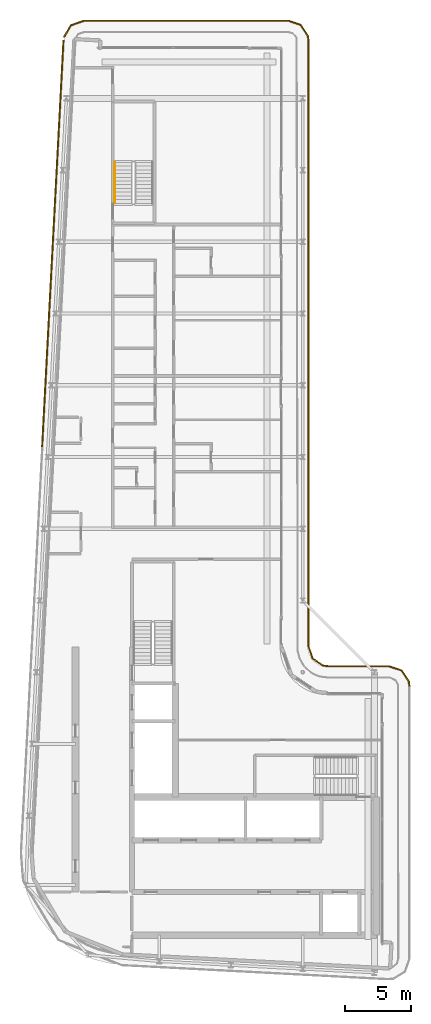
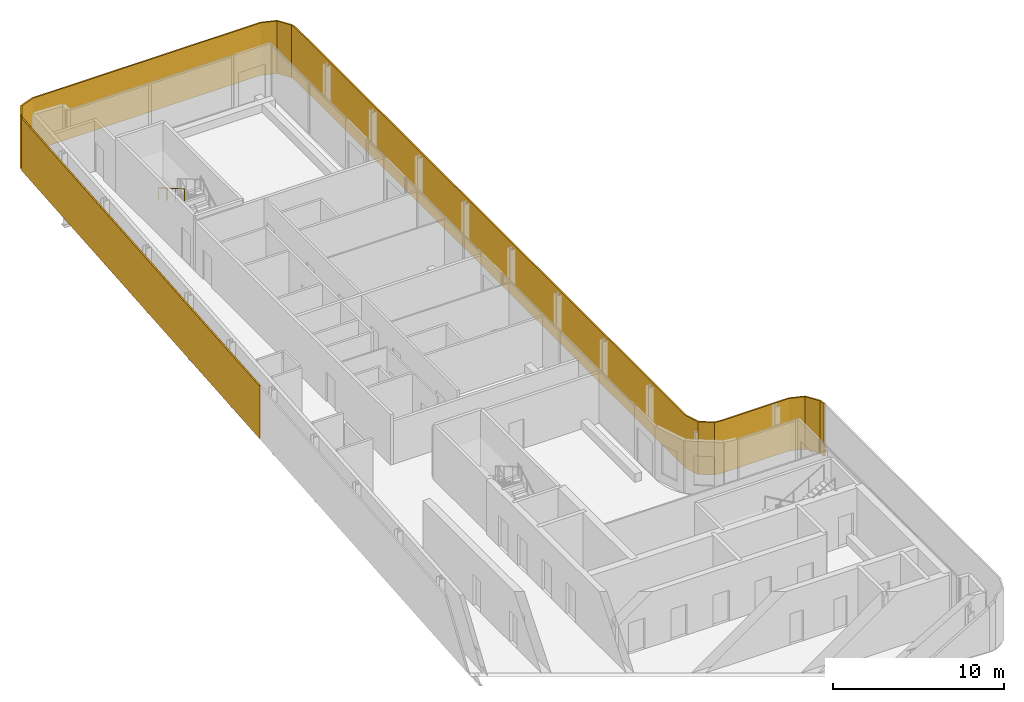
# One storey, part 17 of 19: 2 shading devices, 1 railing.
"""IFC4 building model written with IfcOpenShell, lengths in metres."""

from ifc_helpers import new_model, si_unit, direction, frame, origin, origin_2d, place, context, subcontext, project, spatial, polyline, rectangle, circle, outline, extrude, material, layer, layer_set, type_object, element, save


model = new_model("IFC4")

# Units and contexts
model_context = context("Model", 3, precision=1e-05, world=origin(), true_north=direction((0.0, 1.0)))
body_context = subcontext(model_context, "Body", "Model", "MODEL_VIEW")
ifc_project = project(units=[si_unit("LENGTHUNIT", "METRE"), si_unit("AREAUNIT", "SQUARE_METRE"), si_unit("VOLUMEUNIT", "CUBIC_METRE"), si_unit("PLANEANGLEUNIT", "RADIAN"), si_unit("MASSUNIT", "GRAM", prefix="KILO")], contexts=[model_context])

# Site, building, storey
site_placement = place(None, origin())
site = spatial("IfcSite", under=ifc_project, at=site_placement, CompositionType="ELEMENT")
building_placement = place(site_placement, origin())
building = spatial("IfcBuilding", under=site, at=building_placement, Name="Kheshtan School and Residences Tower", CompositionType="ELEMENT")
storey_placement = place(building_placement, frame((0.0, 0.0, 350.0)))
storey = spatial("IfcBuildingStorey", under=building, at=storey_placement, Name="L82", CompositionType="ELEMENT", Elevation=350.0)

# Shading devices
ifc_material_1 = material(Name="Terracotta baguette, extruded ceramic", Category="masonry")
ifc_layer_1 = layer(ifc_material_1, 0.10009765625)
ifc_layer_set_1 = layer_set([ifc_layer_1], Name="Ledge screen, terracotta baguettes")
shading_device_type_1 = type_object("IfcShadingDeviceType", Name="Ledge screen, terracotta baguettes", PredefinedType="USERDEFINED", material=ifc_layer_set_1)
shading_device_1_placement = place(storey_placement, frame((28.785888671875, 77.884033203125, 0.0), z_axis=(0.0, 0.0, 1.0), x_axis=(0.052562536748, 0.998617634398, 0.0)))
element("IfcShadingDevice", 1, at=shading_device_1_placement, inside=storey, type_object=shading_device_type_1, Name="Screen L82 5", ObjectType="BAGUETTE", PredefinedType="USERDEFINED", context=body_context, shape_type="SweptSolid", body=[
    extrude(rectangle(XDim=30.636962890625, YDim=0.10009765625, at=origin_2d()), origin(), (0.0, 0.0, 1.0), 3.75),
])
ifc_material_2 = material(Name="Terracotta lattice, extruded ceramic", Category="masonry")
ifc_layer_2 = layer(ifc_material_2, 0.10009765625)
ifc_layer_set_2 = layer_set([ifc_layer_2], Name="Loggia screen, terracotta lattice")
shading_device_type_2 = type_object("IfcShadingDeviceType", Name="Loggia screen, terracotta lattice", PredefinedType="USERDEFINED", material=ifc_layer_set_2)
shading_device_2_placement = place(storey_placement, origin())
element("IfcShadingDevice", 2, at=shading_device_2_placement, inside=storey, type_object=shading_device_type_2, Name="Screen L82 1", ObjectType="SCREEN", PredefinedType="USERDEFINED", context=body_context, shape_type="SweptSolid", body=[
    extrude(outline(polyline([(29.666015625, 93.384033203125), (30.18408203125, 94.257080078125), (31.138916015625, 94.60009765625), (46.5, 94.60009765625), (47.4130859375, 94.2900390625), (47.948974609375, 93.488037109375), (48.0, 93.10009765625), (48.0, 47.5), (48.31005859375, 46.5869140625), (49.112060546875, 46.051025390625), (49.5, 46.0), (54.10009765625, 46.0), (55.012939453125, 45.68994140625), (55.549072265625, 44.887939453125), (55.60009765625, 44.5), (55.698974609375, 44.512939453125), (55.64501953125, 44.924072265625), (55.076904296875, 45.77392578125), (54.116943359375, 46.10009765625), (49.507080078125, 46.10009765625), (49.14794921875, 46.14697265625), (48.39404296875, 46.65087890625), (48.10009765625, 47.51708984375), (48.10009765625, 93.10693359375), (48.044921875, 93.52392578125), (47.47705078125, 94.3740234375), (46.51708984375, 94.699951171875), (31.1220703125, 94.699951171875), (30.115966796875, 94.339111328125), (29.580078125, 93.43505859375), (29.666015625, 93.384033203125)])), origin(), (0.0, 0.0, 1.0), 3.75),
])

# Railing
ifc_material_3 = material(Name="Stainless steel handrail", Category="steel")
railing_type = type_object("IfcRailingType", Name="Stair handrail 900", PredefinedType="HANDRAIL", material=ifc_material_3)
railing_placement = place(storey_placement, frame((33.449951171875, 83.97998046875, 2.112548828125)))
element("IfcRailing", 3, at=railing_placement, inside=storey, type_object=railing_type, Name="L82 ST3 stair handrail 2", PredefinedType="HANDRAIL", context=body_context, shape_type="SweptSolid", body=[
    extrude(circle(Radius=0.02392578125, at=origin_2d()), frame((0.0, 0.0, 0.8759765625), z_axis=(0.0, -0.864920483161, 0.501908913857), x_axis=(1.0, 0.0, 0.0)), (0.0, 0.0, 1.0), 3.56103515625),
    extrude(circle(Radius=0.02099609375, at=origin_2d()), origin(), (0.0, 0.0, 1.0), 0.851806640625),
    extrude(circle(Radius=0.02099609375, at=origin_2d()), frame((0.0, -1.026611328125, 0.595703125)), (0.0, 0.0, 1.0), 0.851806640625),
    extrude(circle(Radius=0.02099609375, at=origin_2d()), frame((0.0, -2.053466796875, 1.191650390625)), (0.0, 0.0, 1.0), 0.851806640625),
    extrude(circle(Radius=0.02099609375, at=origin_2d()), frame((0.0, -3.080078125, 1.787353515625)), (0.0, 0.0, 1.0), 0.851806640625),
])

save(model, "model.ifc")
